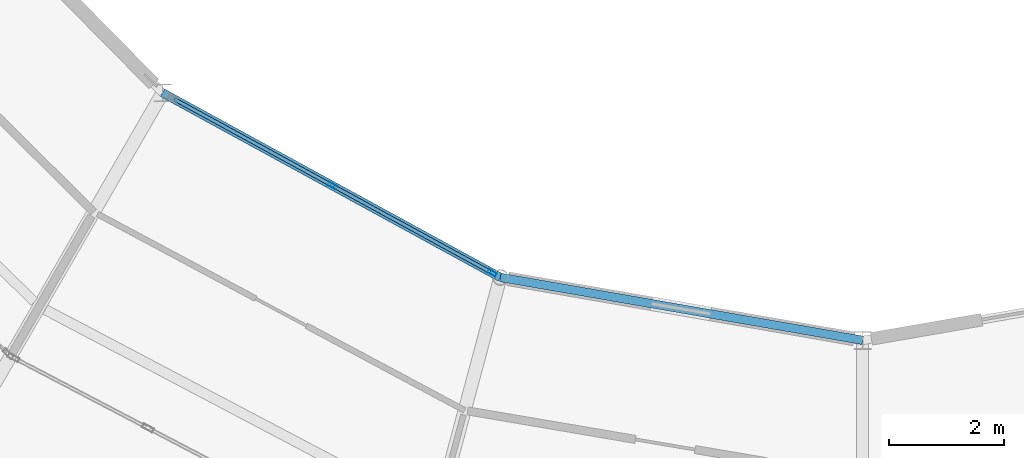
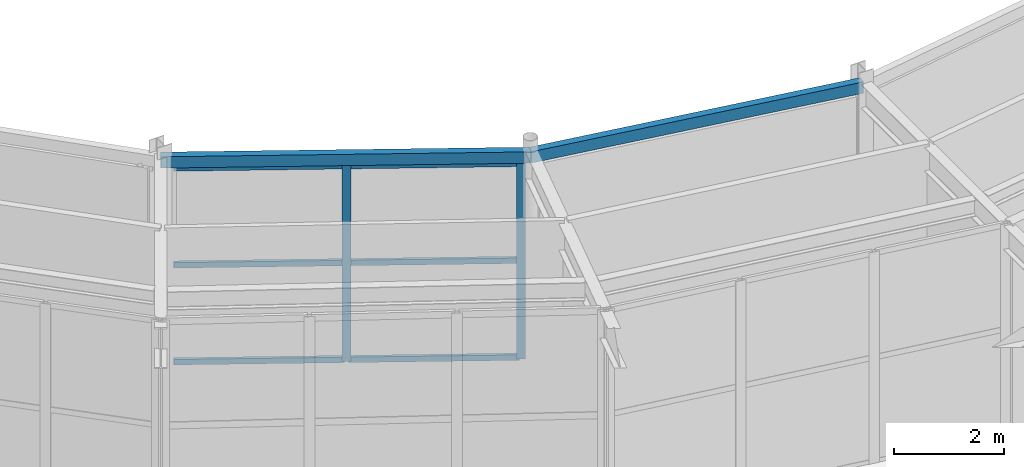
# One storey, part 30 of 144: 8 members, 2 beams, 1 element without a shape of its own.
"""IFC4 building model written with IfcOpenShell, lengths in metres."""

from ifc_helpers import new_model, si_unit, direction, frame, origin, origin_2d, place, context, subcontext, project, spatial, hollow_rectangle, extrude, material, material_profile, profile_set, type_object, element, aggregate, save


model = new_model("IFC4")

# Units and contexts
model_context = context("Model", 3, precision=1e-05, world=origin(), true_north=direction((0.0, 1.0)))
body_context = subcontext(model_context, "Body", "Model", "MODEL_VIEW")
ifc_project = project(units=[si_unit("LENGTHUNIT", "METRE"), si_unit("AREAUNIT", "SQUARE_METRE"), si_unit("VOLUMEUNIT", "CUBIC_METRE"), si_unit("PLANEANGLEUNIT", "RADIAN"), si_unit("MASSUNIT", "GRAM", prefix="KILO")], contexts=[model_context])

# Site, building, storey
site_placement = place(None, origin())
site = spatial("IfcSite", under=ifc_project, at=site_placement, CompositionType="ELEMENT")
building_placement = place(site_placement, origin())
building = spatial("IfcBuilding", under=site, at=building_placement, Name="Karori Crest Natural Sciences Institute", CompositionType="ELEMENT")
storey_placement = place(building_placement, origin())
storey = spatial("IfcBuildingStorey", under=building, at=storey_placement, Name="L00", CompositionType="ELEMENT", Elevation=0.0)

# Beams
ifc_material_1 = material(Name="Hollow structural steel AS/NZS 1163 Grade C350", Category="steel")
ifc_material_profile_1 = material_profile(ifc_material_1, hollow_rectangle(XDim=0.14990234375, YDim=0.25, WallThickness=0.009033203125, at=origin_2d()), Name="RHS250x150x9")
ifc_profile_set_1 = profile_set([ifc_material_profile_1], Name="Hollow structural steel AS/NZS 1163 Grade C350")
beam_type = type_object("IfcBeamType", Name="BT-16", PredefinedType="SPANDREL", material=ifc_profile_set_1)
beam_1_placement = place(storey_placement, frame((54.199951171875, 22.013916015625, 4.489990234375), z_axis=(0.877461157042, -0.479647701842, 0.0), x_axis=(0.479647701842, 0.877461157042, 0.0)))
element("IfcBeam", 1, at=beam_1_placement, inside=storey, type_object=beam_type, Name="Beam B-0151", PredefinedType="SPANDREL", context=body_context, shape_type="SweptSolid", body=[
    extrude(hollow_rectangle(XDim=0.14990234375, YDim=0.25, WallThickness=0.009033203125, at=origin_2d()), origin(), (0.0, 0.0, 1.0), 6.70654296875),
])
beam_2_placement = place(storey_placement, frame((60.084716796875, 18.797119140625, 4.489990234375), z_axis=(0.985241372425, -0.17117078624, 0.0), x_axis=(0.17117078624, 0.985241372425, 0.0)))
element("IfcBeam", 2, at=beam_2_placement, inside=storey, type_object=beam_type, Name="Beam B-0155", PredefinedType="SPANDREL", context=body_context, shape_type="SweptSolid", body=[
    extrude(hollow_rectangle(XDim=0.14990234375, YDim=0.25, WallThickness=0.009033203125, at=origin_2d()), origin(), (0.0, 0.0, 1.0), 6.40966796875),
])

# Curtain wall, members
ifc_material_2 = material(Name="Anodised architectural aluminium 6063-T6", Category="aluminium")
curtain_wall_type = type_object("IfcCurtainWallType", Name="CWT-12", PredefinedType="NOTDEFINED", material=ifc_material_2)
curtain_wall_placement = place(storey_placement, origin())
curtain_wall = element("IfcCurtainWall", 3, at=curtain_wall_placement, inside=storey, type_object=curtain_wall_type, Name="Curtain wall CW-0022", PredefinedType="NOTDEFINED")
ifc_material_profile_2 = material_profile(ifc_material_2, hollow_rectangle(XDim=0.06494140625, YDim=0.159912109375, WallThickness=0.00390625, at=origin_2d()), Name="CWM160x65x4")
ifc_profile_set_2 = profile_set([ifc_material_profile_2], Name="Anodised architectural aluminium 6063-T6")
member_type_1 = type_object("IfcMemberType", Name="CWM-01", PredefinedType="MULLION", material=ifc_profile_set_2)
member_1_placement = place(storey_placement, frame((57.15869140625, 20.396728515625, 0.0), z_axis=(0.0, 0.0, 1.0), x_axis=(0.479643389875, 0.877463514084, 0.0)))
member_1 = element("IfcMember", 4, at=member_1_placement, type_object=member_type_1, Name="CW-0022 mullion 2", PredefinedType="MULLION", context=body_context, shape_type="SweptSolid", body=[
    extrude(hollow_rectangle(XDim=0.06494140625, YDim=0.159912109375, WallThickness=0.00390625, at=origin_2d()), origin(), (0.0, 0.0, 1.0), 4.35009765625),
])
member_2_placement = place(storey_placement, frame((59.938232421875, 18.877197265625, 0.0), z_axis=(0.0, 0.0, 1.0), x_axis=(0.479643389875, 0.877463514084, 0.0)))
member_2 = element("IfcMember", 5, at=member_2_placement, type_object=member_type_1, Name="CW-0022 mullion 3", PredefinedType="MULLION", context=body_context, shape_type="SweptSolid", body=[
    extrude(hollow_rectangle(XDim=0.06494140625, YDim=0.159912109375, WallThickness=0.00390625, at=origin_2d()), origin(), (0.0, 0.0, 1.0), 4.35009765625),
])
ifc_material_profile_3 = material_profile(ifc_material_2, hollow_rectangle(XDim=0.06005859375, YDim=0.1201171875, WallThickness=0.00390625, at=origin_2d()), Name="CWT120x60x4")
ifc_profile_set_3 = profile_set([ifc_material_profile_3], Name="Anodised architectural aluminium 6063-T6")
member_type_2 = type_object("IfcMemberType", Name="CWT-TR1", PredefinedType="USERDEFINED", material=ifc_profile_set_3)
member_3_placement = place(storey_placement, frame((54.40771484375, 21.900390625, 0.030029296875), z_axis=(0.877477226723, -0.479618303011, 0.0), x_axis=(0.479618303011, 0.877477226723, 0.0)))
member_3 = element("IfcMember", 6, at=member_3_placement, type_object=member_type_2, Name="CW-0022 transom 1.1", ObjectType="TRANSOM", PredefinedType="USERDEFINED", context=body_context, shape_type="SweptSolid", body=[
    extrude(hollow_rectangle(XDim=0.06005859375, YDim=0.1201171875, WallThickness=0.00390625, at=origin_2d()), origin(), (0.0, 0.0, 1.0), 3.1025390625),
])
member_4_placement = place(storey_placement, frame((54.40771484375, 21.900390625, 2.175048828125), z_axis=(0.877477226723, -0.479618303011, 0.0), x_axis=(0.479618303011, 0.877477226723, 0.0)))
member_4 = element("IfcMember", 7, at=member_4_placement, type_object=member_type_2, Name="CW-0022 transom 1.2", ObjectType="TRANSOM", PredefinedType="USERDEFINED", context=body_context, shape_type="SweptSolid", body=[
    extrude(hollow_rectangle(XDim=0.06005859375, YDim=0.1201171875, WallThickness=0.00390625, at=origin_2d()), origin(), (0.0, 0.0, 1.0), 3.1025390625),
])
member_5_placement = place(storey_placement, frame((54.40771484375, 21.900390625, 4.320068359375), z_axis=(0.877477226723, -0.479618303011, 0.0), x_axis=(0.479618303011, 0.877477226723, 0.0)))
member_5 = element("IfcMember", 8, at=member_5_placement, type_object=member_type_2, Name="CW-0022 transom 1.3", ObjectType="TRANSOM", PredefinedType="USERDEFINED", context=body_context, shape_type="SweptSolid", body=[
    extrude(hollow_rectangle(XDim=0.06005859375, YDim=0.1201171875, WallThickness=0.00390625, at=origin_2d()), origin(), (0.0, 0.0, 1.0), 3.1025390625),
])
member_6_placement = place(storey_placement, frame((57.187255859375, 20.381103515625, 0.030029296875), z_axis=(0.877444108679, -0.479678888576, 0.0), x_axis=(0.479678888576, 0.877444108679, 0.0)))
member_6 = element("IfcMember", 9, at=member_6_placement, type_object=member_type_2, Name="CW-0022 transom 2.1", ObjectType="TRANSOM", PredefinedType="USERDEFINED", context=body_context, shape_type="SweptSolid", body=[
    extrude(hollow_rectangle(XDim=0.06005859375, YDim=0.1201171875, WallThickness=0.00390625, at=origin_2d()), origin(), (0.0, 0.0, 1.0), 3.102783203125),
])
member_7_placement = place(storey_placement, frame((57.187255859375, 20.381103515625, 2.175048828125), z_axis=(0.877444108679, -0.479678888576, 0.0), x_axis=(0.479678888576, 0.877444108679, 0.0)))
member_7 = element("IfcMember", 10, at=member_7_placement, type_object=member_type_2, Name="CW-0022 transom 2.2", ObjectType="TRANSOM", PredefinedType="USERDEFINED", context=body_context, shape_type="SweptSolid", body=[
    extrude(hollow_rectangle(XDim=0.06005859375, YDim=0.1201171875, WallThickness=0.00390625, at=origin_2d()), origin(), (0.0, 0.0, 1.0), 3.102783203125),
])
member_8_placement = place(storey_placement, frame((57.187255859375, 20.381103515625, 4.320068359375), z_axis=(0.877444108679, -0.479678888576, 0.0), x_axis=(0.479678888576, 0.877444108679, 0.0)))
member_8 = element("IfcMember", 11, at=member_8_placement, type_object=member_type_2, Name="CW-0022 transom 2.3", ObjectType="TRANSOM", PredefinedType="USERDEFINED", context=body_context, shape_type="SweptSolid", body=[
    extrude(hollow_rectangle(XDim=0.06005859375, YDim=0.1201171875, WallThickness=0.00390625, at=origin_2d()), origin(), (0.0, 0.0, 1.0), 3.102783203125),
])
aggregate(curtain_wall, [member_1, member_2, member_3, member_4, member_5, member_6, member_7, member_8])

save(model, "model.ifc")
